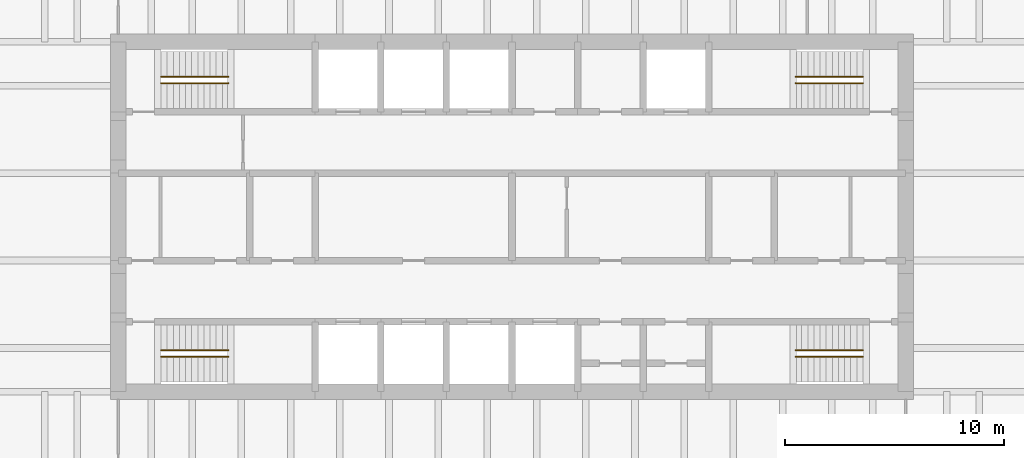
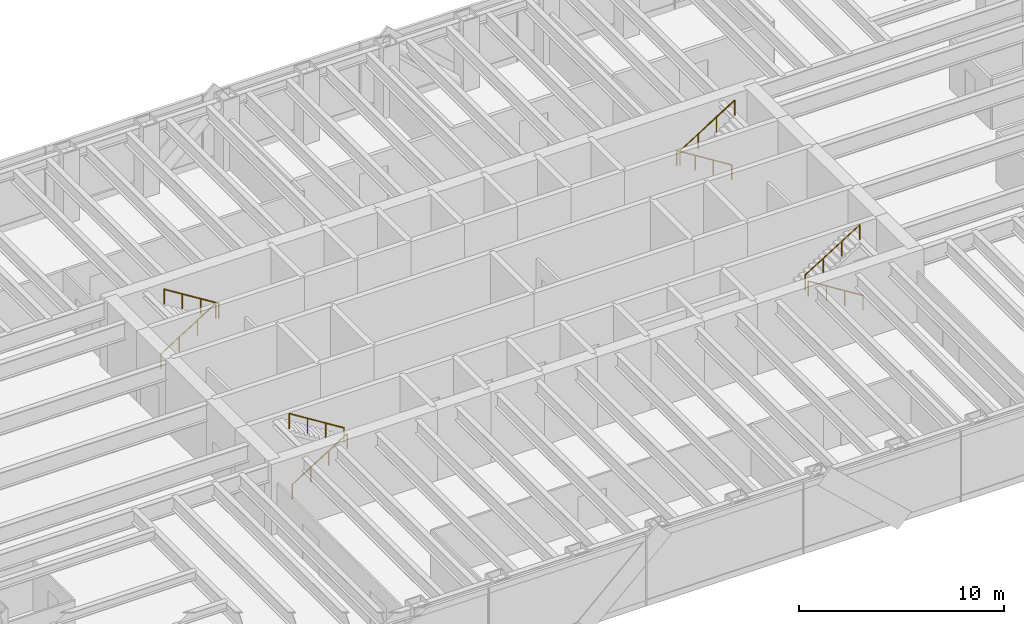
# One storey, part 15 of 15: 8 railings.
"""IFC4 building model written with IfcOpenShell, lengths in metres."""

from ifc_helpers import new_model, si_unit, direction, frame, origin, origin_2d, place, context, subcontext, project, spatial, circle, extrude, material, type_object, element, save


model = new_model("IFC4")

# Units and contexts
model_context = context("Model", 3, precision=1e-05, world=origin(), true_north=direction((0.0, 1.0)))
body_context = subcontext(model_context, "Body", "Model", "MODEL_VIEW")
ifc_project = project(units=[si_unit("LENGTHUNIT", "METRE"), si_unit("AREAUNIT", "SQUARE_METRE"), si_unit("VOLUMEUNIT", "CUBIC_METRE"), si_unit("PLANEANGLEUNIT", "RADIAN"), si_unit("MASSUNIT", "GRAM", prefix="KILO")], contexts=[model_context])

# Site, building, storey
site_placement = place(None, origin())
site = spatial("IfcSite", under=ifc_project, at=site_placement, CompositionType="ELEMENT")
building_placement = place(site_placement, origin())
building = spatial("IfcBuilding", under=site, at=building_placement, Name="Rheinbord Bourse Tower", CompositionType="ELEMENT")
storey_placement = place(building_placement, frame((0.0, 0.0, 296.300048828125)))
storey = spatial("IfcBuildingStorey", under=building, at=storey_placement, Name="L67", CompositionType="ELEMENT", Elevation=296.300048828125)

# Railings
ifc_material = material(Name="Steel handrail", Category="steel")
railing_type = type_object("IfcRailingType", Name="HANDRAIL 900", PredefinedType="HANDRAIL", material=ifc_material)
railing_1_placement = place(storey_placement, frame((19.949951171875, 17.60009765625, 0.175048828125)))
element("IfcRailing", 1, at=railing_1_placement, inside=storey, type_object=railing_type, Name="Handrail", PredefinedType="HANDRAIL", context=body_context, shape_type="SweptSolid", body=[
    extrude(circle(Radius=0.02392578125, at=origin_2d()), frame((0.0, 0.0, 0.8759765625), z_axis=(0.848028513186, 0.0, 0.529950602248), x_axis=(0.0, 1.0, 0.0)), (0.0, 0.0, 1.0), 3.632080078125),
    extrude(circle(Radius=0.02099609375, at=origin_2d()), origin(), (0.0, 0.0, 1.0), 0.851806640625),
    extrude(circle(Radius=0.02099609375, at=origin_2d()), frame((1.026611328125, 0.0, 0.6416015625)), (0.0, 0.0, 1.0), 0.851806640625),
    extrude(circle(Radius=0.02099609375, at=origin_2d()), frame((2.053466796875, 0.0, 1.283203125)), (0.0, 0.0, 1.0), 0.851806640625),
    extrude(circle(Radius=0.02099609375, at=origin_2d()), frame((3.080078125, 0.0, 1.9248046875)), (0.0, 0.0, 1.0), 0.851806640625),
])
railing_2_placement = place(storey_placement, frame((23.030029296875, 17.89990234375, 2.27490234375)))
element("IfcRailing", 2, at=railing_2_placement, inside=storey, type_object=railing_type, Name="Handrail", PredefinedType="HANDRAIL", context=body_context, shape_type="SweptSolid", body=[
    extrude(circle(Radius=0.02392578125, at=origin_2d()), frame((0.0, 0.0, 0.8759765625), z_axis=(-0.847998304005, 0.0, 0.529998940003), x_axis=(0.0, -1.0, 0.0)), (0.0, 0.0, 1.0), 3.632080078125),
    extrude(circle(Radius=0.02099609375, at=origin_2d()), origin(), (0.0, 0.0, 1.0), 0.851806640625),
    extrude(circle(Radius=0.02099609375, at=origin_2d()), frame((-1.026611328125, 0.0, 0.6416015625)), (0.0, 0.0, 1.0), 0.851806640625),
    extrude(circle(Radius=0.02099609375, at=origin_2d()), frame((-2.053466796875, 0.0, 1.283447265625)), (0.0, 0.0, 1.0), 0.851806640625),
    extrude(circle(Radius=0.02099609375, at=origin_2d()), frame((-3.080078125, 0.0, 1.925048828125)), (0.0, 0.0, 1.0), 0.851806640625),
])
railing_3_placement = place(storey_placement, frame((19.949951171875, 30.39990234375, 0.175048828125)))
element("IfcRailing", 3, at=railing_3_placement, inside=storey, type_object=railing_type, Name="Handrail", PredefinedType="HANDRAIL", context=body_context, shape_type="SweptSolid", body=[
    extrude(circle(Radius=0.02392578125, at=origin_2d()), frame((0.0, 0.0, 0.8759765625), z_axis=(0.848028513186, 0.0, 0.529950602248), x_axis=(0.0, 1.0, 0.0)), (0.0, 0.0, 1.0), 3.632080078125),
    extrude(circle(Radius=0.02099609375, at=origin_2d()), origin(), (0.0, 0.0, 1.0), 0.851806640625),
    extrude(circle(Radius=0.02099609375, at=origin_2d()), frame((1.026611328125, 0.0, 0.6416015625)), (0.0, 0.0, 1.0), 0.851806640625),
    extrude(circle(Radius=0.02099609375, at=origin_2d()), frame((2.053466796875, 0.0, 1.283203125)), (0.0, 0.0, 1.0), 0.851806640625),
    extrude(circle(Radius=0.02099609375, at=origin_2d()), frame((3.080078125, 0.0, 1.9248046875)), (0.0, 0.0, 1.0), 0.851806640625),
])
railing_4_placement = place(storey_placement, frame((23.030029296875, 30.10009765625, 2.27490234375)))
element("IfcRailing", 4, at=railing_4_placement, inside=storey, type_object=railing_type, Name="Handrail", PredefinedType="HANDRAIL", context=body_context, shape_type="SweptSolid", body=[
    extrude(circle(Radius=0.02392578125, at=origin_2d()), frame((0.0, 0.0, 0.8759765625), z_axis=(-0.847998304005, 0.0, 0.529998940003), x_axis=(0.0, -1.0, 0.0)), (0.0, 0.0, 1.0), 3.632080078125),
    extrude(circle(Radius=0.02099609375, at=origin_2d()), origin(), (0.0, 0.0, 1.0), 0.851806640625),
    extrude(circle(Radius=0.02099609375, at=origin_2d()), frame((-1.026611328125, 0.0, 0.6416015625)), (0.0, 0.0, 1.0), 0.851806640625),
    extrude(circle(Radius=0.02099609375, at=origin_2d()), frame((-2.053466796875, 0.0, 1.283447265625)), (0.0, 0.0, 1.0), 0.851806640625),
    extrude(circle(Radius=0.02099609375, at=origin_2d()), frame((-3.080078125, 0.0, 1.925048828125)), (0.0, 0.0, 1.0), 0.851806640625),
])
railing_5_placement = place(storey_placement, frame((52.050048828125, 17.60009765625, 0.175048828125)))
element("IfcRailing", 5, at=railing_5_placement, inside=storey, type_object=railing_type, Name="Handrail", PredefinedType="HANDRAIL", context=body_context, shape_type="SweptSolid", body=[
    extrude(circle(Radius=0.02392578125, at=origin_2d()), frame((0.0, 0.0, 0.8759765625), z_axis=(-0.848028513186, 0.0, 0.529950602248), x_axis=(0.0, -1.0, 0.0)), (0.0, 0.0, 1.0), 3.632080078125),
    extrude(circle(Radius=0.02099609375, at=origin_2d()), origin(), (0.0, 0.0, 1.0), 0.851806640625),
    extrude(circle(Radius=0.02099609375, at=origin_2d()), frame((-1.026611328125, 0.0, 0.6416015625)), (0.0, 0.0, 1.0), 0.851806640625),
    extrude(circle(Radius=0.02099609375, at=origin_2d()), frame((-2.053466796875, 0.0, 1.283203125)), (0.0, 0.0, 1.0), 0.851806640625),
    extrude(circle(Radius=0.02099609375, at=origin_2d()), frame((-3.080078125, 0.0, 1.9248046875)), (0.0, 0.0, 1.0), 0.851806640625),
])
railing_6_placement = place(storey_placement, frame((48.969970703125, 17.89990234375, 2.27490234375)))
element("IfcRailing", 6, at=railing_6_placement, inside=storey, type_object=railing_type, Name="Handrail", PredefinedType="HANDRAIL", context=body_context, shape_type="SweptSolid", body=[
    extrude(circle(Radius=0.02392578125, at=origin_2d()), frame((0.0, 0.0, 0.8759765625), z_axis=(0.847998304005, 0.0, 0.529998940003), x_axis=(0.0, 1.0, 0.0)), (0.0, 0.0, 1.0), 3.632080078125),
    extrude(circle(Radius=0.02099609375, at=origin_2d()), origin(), (0.0, 0.0, 1.0), 0.851806640625),
    extrude(circle(Radius=0.02099609375, at=origin_2d()), frame((1.026611328125, 0.0, 0.6416015625)), (0.0, 0.0, 1.0), 0.851806640625),
    extrude(circle(Radius=0.02099609375, at=origin_2d()), frame((2.053466796875, 0.0, 1.283447265625)), (0.0, 0.0, 1.0), 0.851806640625),
    extrude(circle(Radius=0.02099609375, at=origin_2d()), frame((3.080078125, 0.0, 1.925048828125)), (0.0, 0.0, 1.0), 0.851806640625),
])
railing_7_placement = place(storey_placement, frame((52.050048828125, 30.39990234375, 0.175048828125)))
element("IfcRailing", 7, at=railing_7_placement, inside=storey, type_object=railing_type, Name="Handrail", PredefinedType="HANDRAIL", context=body_context, shape_type="SweptSolid", body=[
    extrude(circle(Radius=0.02392578125, at=origin_2d()), frame((0.0, 0.0, 0.8759765625), z_axis=(-0.848028513186, 0.0, 0.529950602248), x_axis=(0.0, -1.0, 0.0)), (0.0, 0.0, 1.0), 3.632080078125),
    extrude(circle(Radius=0.02099609375, at=origin_2d()), origin(), (0.0, 0.0, 1.0), 0.851806640625),
    extrude(circle(Radius=0.02099609375, at=origin_2d()), frame((-1.026611328125, 0.0, 0.6416015625)), (0.0, 0.0, 1.0), 0.851806640625),
    extrude(circle(Radius=0.02099609375, at=origin_2d()), frame((-2.053466796875, 0.0, 1.283203125)), (0.0, 0.0, 1.0), 0.851806640625),
    extrude(circle(Radius=0.02099609375, at=origin_2d()), frame((-3.080078125, 0.0, 1.9248046875)), (0.0, 0.0, 1.0), 0.851806640625),
])
railing_8_placement = place(storey_placement, frame((48.969970703125, 30.10009765625, 2.27490234375)))
element("IfcRailing", 8, at=railing_8_placement, inside=storey, type_object=railing_type, Name="Handrail", PredefinedType="HANDRAIL", context=body_context, shape_type="SweptSolid", body=[
    extrude(circle(Radius=0.02392578125, at=origin_2d()), frame((0.0, 0.0, 0.8759765625), z_axis=(0.847998304005, 0.0, 0.529998940003), x_axis=(0.0, 1.0, 0.0)), (0.0, 0.0, 1.0), 3.632080078125),
    extrude(circle(Radius=0.02099609375, at=origin_2d()), origin(), (0.0, 0.0, 1.0), 0.851806640625),
    extrude(circle(Radius=0.02099609375, at=origin_2d()), frame((1.026611328125, 0.0, 0.6416015625)), (0.0, 0.0, 1.0), 0.851806640625),
    extrude(circle(Radius=0.02099609375, at=origin_2d()), frame((2.053466796875, 0.0, 1.283447265625)), (0.0, 0.0, 1.0), 0.851806640625),
    extrude(circle(Radius=0.02099609375, at=origin_2d()), frame((3.080078125, 0.0, 1.925048828125)), (0.0, 0.0, 1.0), 0.851806640625),
])

save(model, "model.ifc")
